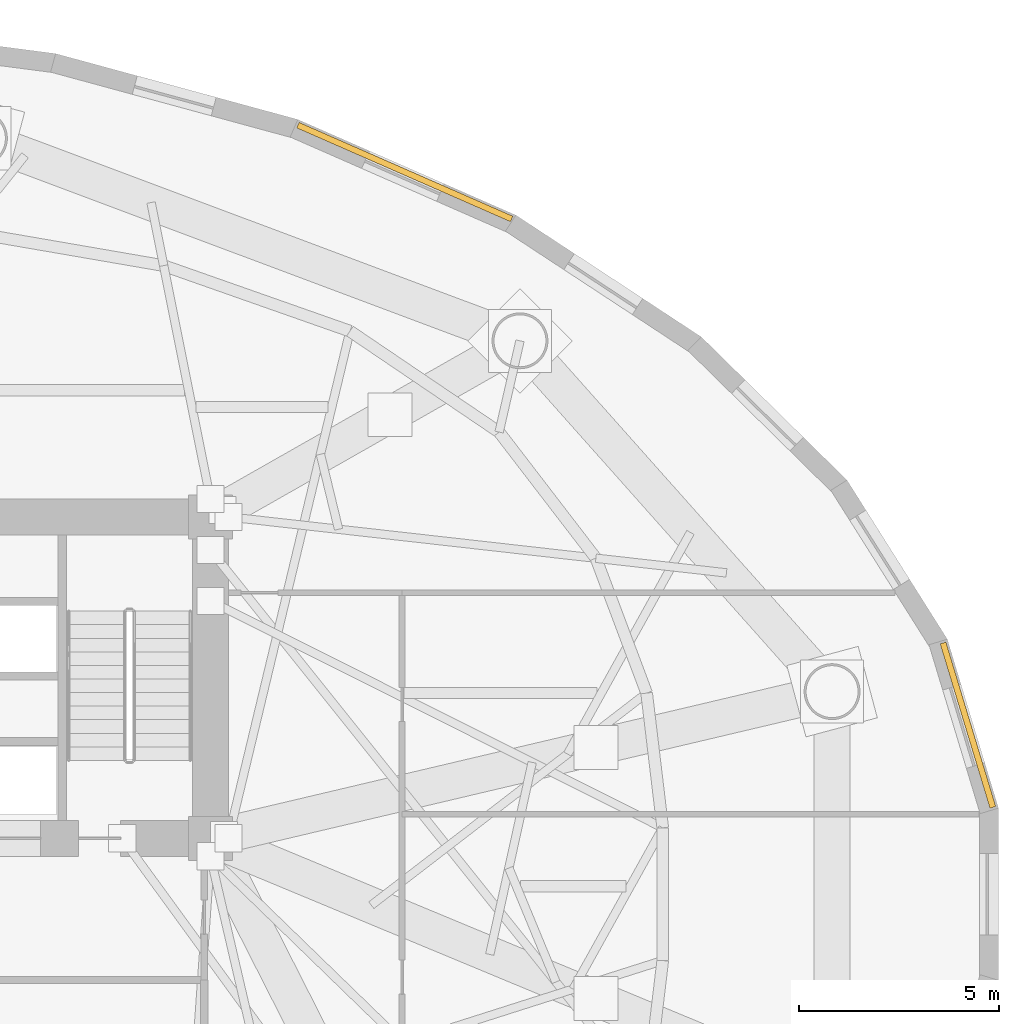
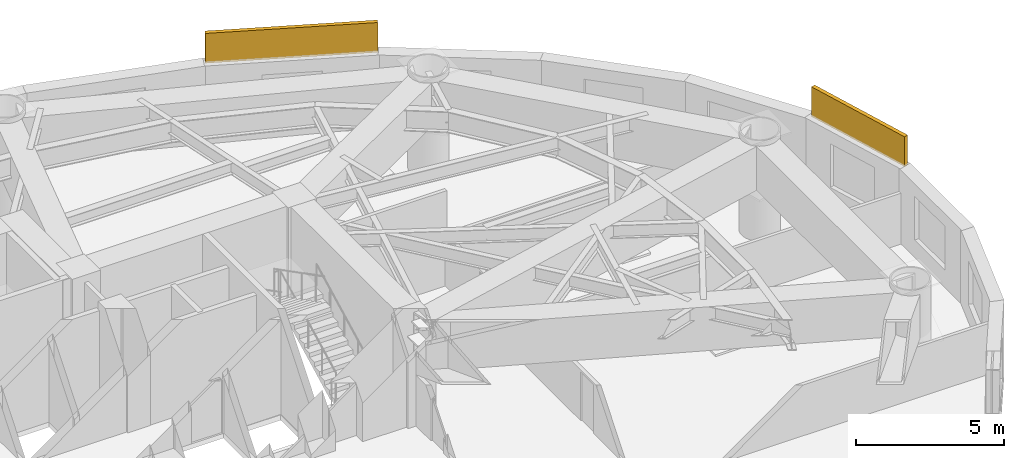
# One storey, part 14 of 14: 2 coverings.
"""IFC4 building model written with IfcOpenShell, lengths in metres."""

from ifc_helpers import new_model, si_unit, direction, frame, origin, origin_2d, place, context, subcontext, project, spatial, rectangle, extrude, material, layer, layer_set, type_object, element, save


model = new_model("IFC4")

# Units and contexts
model_context = context("Model", 3, precision=1e-05, world=origin(), true_north=direction((0.0, 1.0)))
body_context = subcontext(model_context, "Body", "Model", "MODEL_VIEW")
ifc_project = project(units=[si_unit("LENGTHUNIT", "METRE"), si_unit("AREAUNIT", "SQUARE_METRE"), si_unit("VOLUMEUNIT", "CUBIC_METRE"), si_unit("PLANEANGLEUNIT", "RADIAN"), si_unit("MASSUNIT", "GRAM", prefix="KILO")], contexts=[model_context])

# Site, building, storey
site_placement = place(None, origin())
site = spatial("IfcSite", under=ifc_project, at=site_placement, CompositionType="ELEMENT")
building_placement = place(site_placement, origin())
building = spatial("IfcBuilding", under=site, at=building_placement, Name="Keldmark Tower", CompositionType="ELEMENT")
storey_placement = place(building_placement, frame((0.0, 0.0, 22.800048828125)))
storey = spatial("IfcBuildingStorey", under=building, at=storey_placement, Name="L05", CompositionType="ELEMENT", Elevation=22.800048828125)

# Coverings
ifc_material = material(Name="Honed Kasota Buff Dolomitic Limestone", Category="masonry")
ifc_layer = layer(ifc_material, 0.074951171875)
ifc_layer_set = layer_set([ifc_layer], Name="Honed Kasota Buff Dolomitic Limestone")
covering_type = type_object("IfcCoveringType", Name="Kasota Buff Limestone Spandrel Cladding Band", PredefinedType="CLADDING", material=ifc_layer_set)
covering_1_placement = place(storey_placement, frame((32.57373046875, 4.233642578125, 2.952880859375), z_axis=(0.0, 0.0, 1.0), x_axis=(-0.289883809569, 0.957061845938, 0.0)))
element("IfcCovering", 1, at=covering_1_placement, inside=storey, type_object=covering_type, Name="L05 Kasota Limestone Spandrel Band 01", PredefinedType="CLADDING", context=body_context, shape_type="SweptSolid", body=[
    extrude(rectangle(XDim=4.2998046875, YDim=0.14990234375, at=origin_2d()), origin(), (0.0, 0.0, 1.0), 1.22705078125),
])
covering_2_placement = place(storey_placement, frame((18.4697265625, 18.085205078125, 2.952880859375), z_axis=(0.0, 0.0, 1.0), x_axis=(-0.915711693691, 0.401835904367, 0.0)))
element("IfcCovering", 2, at=covering_2_placement, inside=storey, type_object=covering_type, Name="L05 Kasota Limestone Spandrel Band 05", PredefinedType="CLADDING", context=body_context, shape_type="SweptSolid", body=[
    extrude(rectangle(XDim=5.843017578125, YDim=0.14990234375, at=origin_2d()), origin(), (0.0, 0.0, 1.0), 1.22705078125),
])

save(model, "model.ifc")
